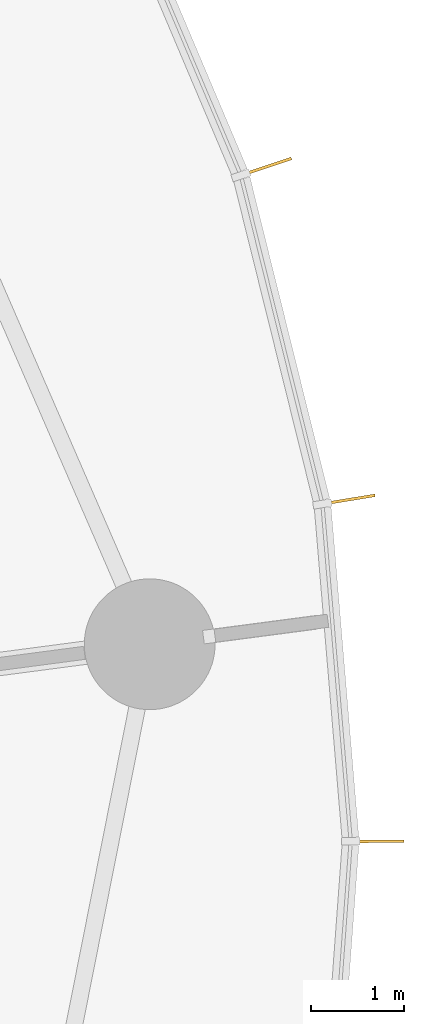
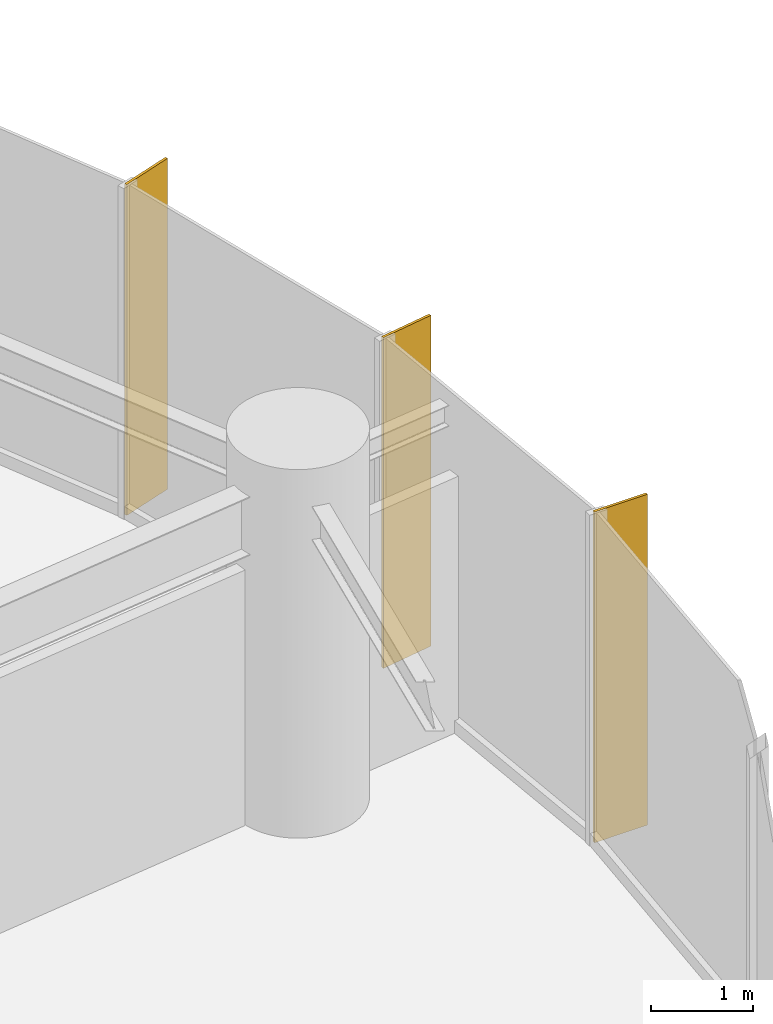
# One storey, part 19 of 19: 3 shading devices.
"""IFC4 building model written with IfcOpenShell, lengths in metres."""

import ifcopenshell
import ifcopenshell.guid

model = None  # the IFC model being written
_history = None  # IfcOwnerHistory: only IFC2X3 demands one
_inside = {}  # id of a spatial element -> (the spatial element, [elements in it])
_under = {}  # id of a project, library or spatial element -> (it, [spatial elements below it])
_declared = {}  # id of a project -> (the project, [libraries it declares])
_typed = {}  # id of a type object -> (the type object, [elements of that type])
_made_of = {}  # id of a material, layer set ... -> (it, [elements and type objects made of it])


def new_model(schema):
    """Start an empty IFC model of exactly this schema.

    Asked for "IFC4X3", IfcOpenShell would pick the latest addendum, in which some entities
    have other attributes; the version numbers below select the first issue.
    IFC2X3 requires an IfcOwnerHistory on every rooted entity: one is made here for all.
    """
    global model, _history
    if schema == "IFC4X3":
        model = ifcopenshell.file(schema_version=(4, 3, 0, 0))
    else:
        model = ifcopenshell.file(schema=schema)
    _inside.clear()
    _under.clear()
    _declared.clear()
    _typed.clear()
    _made_of.clear()
    _history = None
    if model.schema == "IFC2X3":
        org = make("IfcOrganization", Name="unknown")
        user = make(
            "IfcPersonAndOrganization",
            ThePerson=make("IfcPerson", FamilyName="unknown"),
            TheOrganization=org,
        )
        app = make(
            "IfcApplication",
            ApplicationDeveloper=org,
            Version="unknown",
            ApplicationFullName="unknown",
            ApplicationIdentifier="unknown",
        )
        _history = make(
            "IfcOwnerHistory",
            OwningUser=user,
            OwningApplication=app,
            ChangeAction="ADDED",
            CreationDate=0,
        )
    return model


def make(cls, **values):
    """One entity of the class cls with the attributes given. An attribute that is None is left unset."""
    return model.create_entity(
        cls, **{name: value for name, value in values.items() if value is not None}
    )


def rooted(cls, **values):
    """An entity with a GlobalId (a new one), such as an element, a storey or a relation."""
    return make(cls, GlobalId=ifcopenshell.guid.new(), OwnerHistory=_history, **values)


def si_unit(unit_type, name, prefix=None):
    """IfcSIUnit, for example si_unit("LENGTHUNIT", "METRE", prefix="MILLI")."""
    return make("IfcSIUnit", UnitType=unit_type, Prefix=prefix, Name=name)


def assignment(units):
    """IfcUnitAssignment: the units of a project."""
    return None if units is None else make("IfcUnitAssignment", Units=units)


def point(xyz):
    """IfcCartesianPoint."""
    return None if xyz is None else make("IfcCartesianPoint", Coordinates=xyz)


def direction(xyz):
    """IfcDirection."""
    return None if xyz is None else make("IfcDirection", DirectionRatios=xyz)


def frame(location, z_axis=None, x_axis=None):
    """IfcAxis2Placement3D, a coordinate frame: its origin and axes. An axis left out is left unset."""
    return make(
        "IfcAxis2Placement3D",
        Location=point(location),
        Axis=direction(z_axis),
        RefDirection=direction(x_axis),
    )


def frame_2d(location, x_axis=None):
    """IfcAxis2Placement2D, a coordinate frame in the plane: its origin and x axis."""
    return make(
        "IfcAxis2Placement2D", Location=point(location), RefDirection=direction(x_axis)
    )


def origin():
    """The frame at (0, 0, 0) with its axes left unset."""
    return frame((0.0, 0.0, 0.0))


def origin_2d():
    """The frame at (0, 0) in the plane with its x axis left unset."""
    return frame_2d((0.0, 0.0))


def place(relative_to, where):
    """IfcLocalPlacement: puts the frame where relative to a parent placement (None: the world)."""
    return make(
        "IfcLocalPlacement", PlacementRelTo=relative_to, RelativePlacement=where
    )


def context(
    kind, dimensions, precision=None, world=None, true_north=None, identifier=None
):
    """IfcGeometricRepresentationContext, for example the 3D "Model" context."""
    return make(
        "IfcGeometricRepresentationContext",
        ContextIdentifier=identifier,
        ContextType=kind,
        CoordinateSpaceDimension=dimensions,
        Precision=precision,
        WorldCoordinateSystem=world,
        TrueNorth=true_north,
    )


def subcontext(parent, identifier, kind, view, scale=None):
    """IfcGeometricRepresentationSubContext, for example "Body" below "Model"."""
    return make(
        "IfcGeometricRepresentationSubContext",
        ContextIdentifier=identifier,
        ContextType=kind,
        ParentContext=parent,
        TargetScale=scale,
        TargetView=view,
    )


def project(units=None, contexts=None):
    """IfcProject with its units and contexts."""
    return rooted(
        "IfcProject",
        Name="project",
        RepresentationContexts=contexts,
        UnitsInContext=assignment(units),
    )


def spatial(cls, under=None, at=None, **own):
    """A site, building, storey or space (cls), placed at a placement, below another one or the project."""
    s = rooted(cls, ObjectPlacement=at, **own)
    if under is not None:
        _under.setdefault(under.id(), (under, []))[1].append(s)
    return s


def profile(cls, at=None, kind="AREA", **sizes):
    """A parametric profile (cls). Its sizes go by their IFC names, for example OverallWidth=200.0."""
    return make(cls, ProfileType=kind, Position=at, **sizes)


def rectangle(**sizes):
    """IfcRectangleProfileDef."""
    return profile("IfcRectangleProfileDef", **sizes)


def extrude(swept, where, along, depth):
    """IfcExtrudedAreaSolid: the profile swept, set in the frame where, extruded along a direction by depth."""
    return make(
        "IfcExtrudedAreaSolid",
        SweptArea=swept,
        Position=where,
        ExtrudedDirection=direction(along),
        Depth=depth,
    )


def shape(context_of_items, identifier, shape_type, items):
    """IfcShapeRepresentation: the items that make up one representation, for example the "Body"."""
    return make(
        "IfcShapeRepresentation",
        ContextOfItems=context_of_items,
        RepresentationIdentifier=identifier,
        RepresentationType=shape_type,
        Items=items,
    )


def source(mapping_origin, context_of_items, identifier, shape_type, items):
    """IfcRepresentationMap: a shape defined once, which mapped items show again and again."""
    return make(
        "IfcRepresentationMap",
        MappingOrigin=mapping_origin,
        MappedRepresentation=shape(context_of_items, identifier, shape_type, items),
    )


def transform(
    local_origin,
    x_axis=None,
    y_axis=None,
    z_axis=None,
    scale=None,
    scale2=None,
    scale3=None,
    uniform=True,
):
    """IfcCartesianTransformationOperator3D, or its non-uniform kind. x_axis, y_axis, z_axis: its Axis1, 2, 3."""
    if uniform:
        return make(
            "IfcCartesianTransformationOperator3D",
            Axis1=direction(x_axis),
            Axis2=direction(y_axis),
            LocalOrigin=point(local_origin),
            Scale=scale,
            Axis3=direction(z_axis),
        )
    return make(
        "IfcCartesianTransformationOperator3DnonUniform",
        Axis1=direction(x_axis),
        Axis2=direction(y_axis),
        LocalOrigin=point(local_origin),
        Scale=scale,
        Axis3=direction(z_axis),
        Scale2=scale2,
        Scale3=scale3,
    )


def mapped(mapping_source, mapping_target):
    """IfcMappedItem: shows the shape of a source again, moved by a transform."""
    return make(
        "IfcMappedItem", MappingSource=mapping_source, MappingTarget=mapping_target
    )


def material(Name=None, Category=None):
    """IfcMaterial."""
    return make("IfcMaterial", Name=Name, Category=Category)


def material_profile(
    of_material, cross_section, Name=None, Category=None, Priority=None
):
    """IfcMaterialProfile: a cross section and its material."""
    return make(
        "IfcMaterialProfile",
        Name=Name,
        Material=of_material,
        Profile=cross_section,
        Priority=Priority,
        Category=Category,
    )


def profile_set(profiles, Name=None, composite=None):
    """IfcMaterialProfileSet."""
    return make(
        "IfcMaterialProfileSet",
        Name=Name,
        MaterialProfiles=profiles,
        CompositeProfile=composite,
    )


def made_of(thing, what):
    """Note that an element or type object is made of a material, layer set ...; save() writes the relation."""
    if what is not None:
        _made_of.setdefault(what.id(), (what, []))[1].append(thing)
    return thing


def type_object(cls, material=None, **own):
    """A type object (cls), such as IfcWallType, which elements share."""
    return made_of(rooted(cls, **own), material)


def element(
    cls,
    number,
    at=None,
    inside=None,
    cuts=None,
    type_object=None,
    material=None,
    context=None,
    identifier="Body",
    shape_type=None,
    held_by="IfcProductDefinitionShape",
    body=None,
    shapes=None,
    **own,
):
    """One element of the class cls, such as IfcWall. Its Tag is "e" and its number.

    at: its placement. inside: the storey or other place that contains it. cuts: it is an
    opening in that element (IfcRelVoidsElement). A single representation is given by context,
    identifier, shape_type and body (its items); several are given by shapes. held_by: the class
    of the entity that holds the representations. save() writes the other relations.
    """
    e = rooted(cls, Tag="e%d" % number, ObjectPlacement=at, **own)
    if body is not None:
        shapes = [shape(context, identifier, shape_type, body)]
    if shapes is not None:
        e.Representation = make(held_by, Representations=shapes)
    if inside is not None:
        _inside.setdefault(inside.id(), (inside, []))[1].append(e)
    if cuts is not None:
        rooted(
            "IfcRelVoidsElement", RelatingBuildingElement=cuts, RelatedOpeningElement=e
        )
    if type_object is not None:
        _typed.setdefault(type_object.id(), (type_object, []))[1].append(e)
    return made_of(e, material)


def aggregate(whole, parts):
    """IfcRelAggregates: a whole, such as a stair, and the parts it consists of."""
    return rooted("IfcRelAggregates", RelatingObject=whole, RelatedObjects=parts)


def save(model, path):
    """Write the relations noted so far, then the file.

    IfcRelAggregates (storeys below a building ...), IfcRelContainedInSpatialStructure (elements
    in a storey), IfcRelDefinesByType, IfcRelAssociatesMaterial and IfcRelDeclares: one each for
    every whole, place, type object, material and project.
    """
    for whole, parts in _under.values():
        aggregate(whole, parts)
    for where, things in _inside.values():
        rooted(
            "IfcRelContainedInSpatialStructure",
            RelatedElements=things,
            RelatingStructure=where,
        )
    for kind, things in _typed.values():
        rooted("IfcRelDefinesByType", RelatedObjects=things, RelatingType=kind)
    for what, things in _made_of.values():
        rooted("IfcRelAssociatesMaterial", RelatedObjects=things, RelatingMaterial=what)
    for by, libraries in _declared.values():
        rooted("IfcRelDeclares", RelatingContext=by, RelatedDefinitions=libraries)
    model.write(path)


model = new_model("IFC4")

# Units and contexts
model_context = context("Model", 3, precision=1e-05, world=origin(), true_north=direction((0.0, 1.0)))
body_context = subcontext(model_context, "Body", "Model", "MODEL_VIEW")
ifc_project = project(units=[si_unit("LENGTHUNIT", "METRE"), si_unit("AREAUNIT", "SQUARE_METRE"), si_unit("VOLUMEUNIT", "CUBIC_METRE"), si_unit("PLANEANGLEUNIT", "RADIAN"), si_unit("MASSUNIT", "GRAM", prefix="KILO")], contexts=[model_context])

# Site, building, storey
site_placement = place(None, origin())
site = spatial("IfcSite", under=ifc_project, at=site_placement, CompositionType="ELEMENT")
building_placement = place(site_placement, origin())
building = spatial("IfcBuilding", under=site, at=building_placement, Name="Spindrift Exchange Tower", CompositionType="ELEMENT")
storey_placement = place(building_placement, frame((0.0, 0.0, 49.0)))
storey = spatial("IfcBuildingStorey", under=building, at=storey_placement, Name="L11", CompositionType="ELEMENT", Elevation=49.0)

# Shading devices
ifc_material = material(Name="Bronze anodised aluminium", Category="aluminium")
ifc_material_profile = material_profile(ifc_material, rectangle(XDim=0.030029296875, YDim=0.60009765625, at=origin_2d()), Name="WIND FIN 30X600")
ifc_profile_set = profile_set([ifc_material_profile], Name="Bronze anodised aluminium")
shading_device_type = type_object("IfcShadingDeviceType", Name="WIND FIN 30X600", PredefinedType="USERDEFINED", material=ifc_profile_set)
shared_shape = source(origin(), body_context, "Body", "SweptSolid", [
    extrude(rectangle(XDim=0.030029296875, YDim=0.60009765625, at=origin_2d()), origin(), (0.0, 0.0, 1.0), 3.949951171875),
])
for number, where, z_axis, x_axis, name in (
    (1, (90.10546875, 54.283203125, 0.0), (0.0, 0.0, 1.0), (-0.162695716031, 0.986676291387, 0.0), "L11 wind fin 2"),
    (2, (89.222412109375, 57.842529296875, 0.0), (0.0, 0.0, 1.0), (-0.316170661051, 0.948702331129, 0.0), "L11 wind fin 3"),
    (3, (90.412109375, 50.629150390625, 0.0), (0.0, 0.0, 1.0), (-0.005148698545, 0.999986745364, 0.0), "L11 wind fin 4"),
):
    element("IfcShadingDevice", number, at=place(storey_placement, frame(where, z_axis=z_axis, x_axis=x_axis)), inside=storey, type_object=shading_device_type, Name=name, ObjectType="FIN", PredefinedType="USERDEFINED", context=body_context, shape_type="MappedRepresentation", body=[
        mapped(shared_shape, transform((0.0, 0.0, 0.0), scale=1.0)),
    ])

save(model, "model.ifc")
